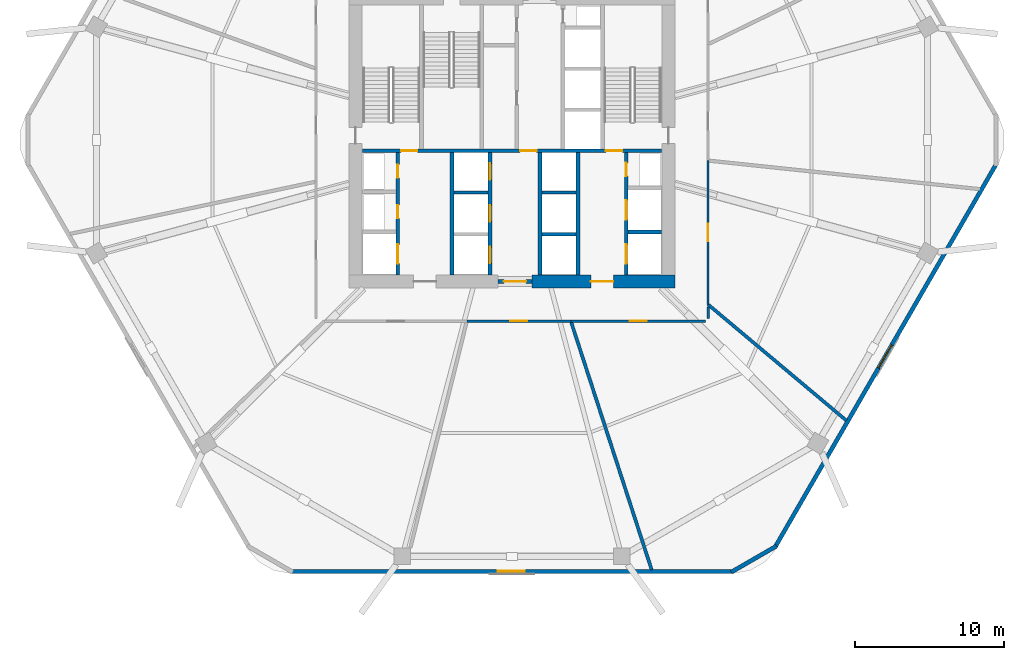
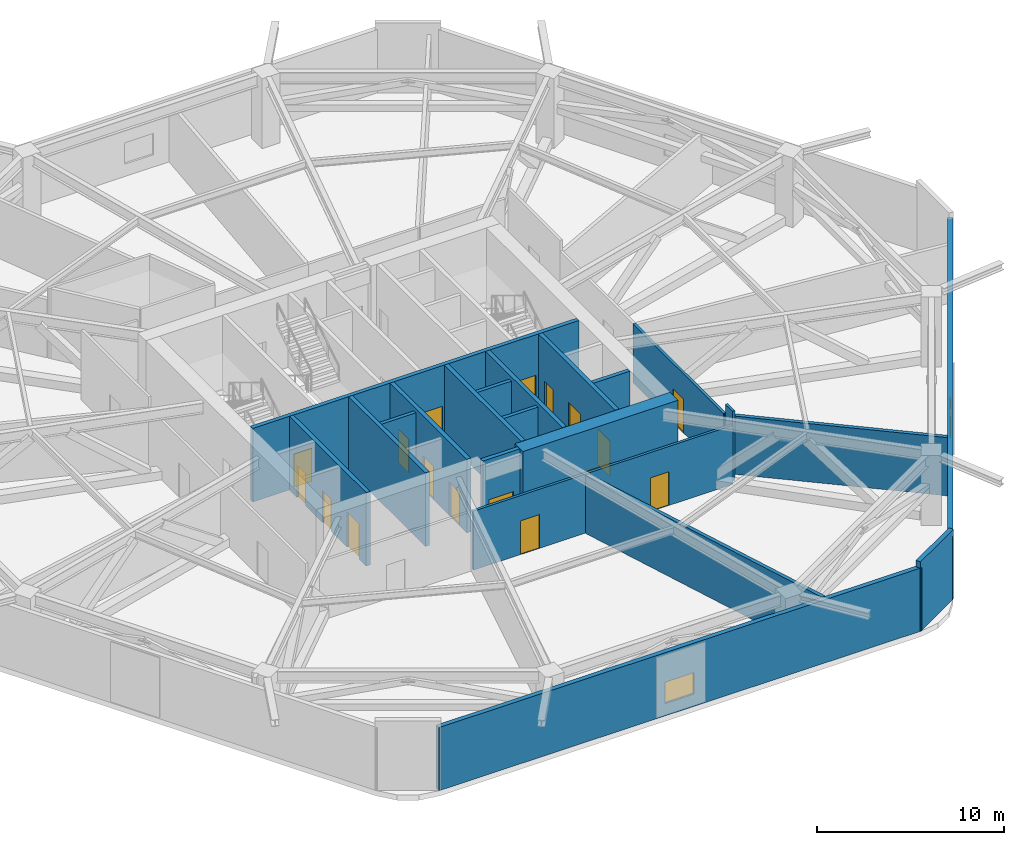
# One storey, part 4 of 10: 22 walls, 17 doors, 2 windows, 19 openings.
"""IFC4 building model written with IfcOpenShell, lengths in metres."""

from ifc_helpers import new_model, si_unit, direction, frame, frame_2d, origin, place, context, subcontext, project, spatial, rectangle, extrude, material, layer, layer_set, type_object, element, fill, save


model = new_model("IFC4")

# Units and contexts
model_context = context("Model", 3, precision=1e-05, world=origin(), true_north=direction((0.0, 1.0)))
body_context = subcontext(model_context, "Body", "Model", "MODEL_VIEW")
ifc_project = project(units=[si_unit("LENGTHUNIT", "METRE"), si_unit("AREAUNIT", "SQUARE_METRE"), si_unit("VOLUMEUNIT", "CUBIC_METRE"), si_unit("PLANEANGLEUNIT", "RADIAN"), si_unit("MASSUNIT", "GRAM", prefix="KILO")], contexts=[model_context])

# Site, building, storey
site_placement = place(None, origin())
site = spatial("IfcSite", under=ifc_project, at=site_placement, CompositionType="ELEMENT")
building_placement = place(site_placement, origin())
building = spatial("IfcBuilding", under=site, at=building_placement, Name="Zuhravey Tower", CompositionType="ELEMENT")
storey_placement = place(building_placement, frame((0.0, 0.0, 87.60009765625)))
storey = spatial("IfcBuildingStorey", under=building, at=storey_placement, Name="L21", CompositionType="ELEMENT", Elevation=87.60009765625)

# Wall, opening, door
ifc_material_1 = material(Name="Concrete C60/75", Category="concrete")
ifc_layer_1 = layer(ifc_material_1, 0.85009765625)
ifc_layer_set_1 = layer_set([ifc_layer_1], Name="Concrete C60/75")
wall_type_1 = type_object("IfcWallType", Name="Core Shear Wall 850", PredefinedType="SHEAR", material=ifc_layer_set_1)
wall_1_placement = place(storey_placement, frame((37.35009765625, 22.5, 0.0), z_axis=(0.0, 0.0, 1.0), x_axis=(1.0, 0.0, 0.0)))
wall_1 = element("IfcWall", 1, at=wall_1_placement, inside=storey, type_object=wall_type_1, Name="L21 South-East Core Shear Wall CW85", PredefinedType="SHEAR", context=body_context, shape_type="SweptSolid", body=[
    extrude(rectangle(XDim=9.574951171875, YDim=0.85009765625, at=frame_2d((4.78759765625, 0.0))), origin(), (0.0, 0.0, 1.0), 4.7998046875),
])
opening_1_placement = place(wall_1_placement, frame((3.949951171875, 0.0, 0.0)))
opening_1 = element("IfcOpeningElement", 2, at=opening_1_placement, cuts=wall_1, Name="Opening FFD1", PredefinedType="OPENING", context=body_context, shape_type="SweptSolid", body=[
    extrude(rectangle(XDim=1.5, YDim=2.14990234375, at=frame_2d((0.75, 1.074951171875))), frame((0.0, 0.43701171875, 0.0), z_axis=(0.0, -1.0, 0.0), x_axis=(1.0, 0.0, 0.0)), (0.0, 0.0, 1.0), 0.8740234375),
])
ifc_material_2 = material(Name="Galvanised fire-rated steel leaf", Category="steel")
door_type_1 = type_object("IfcDoorType", Name="Firefighting Lobby Double Door 1500x2150", OperationType="DOUBLE_DOOR_SINGLE_SWING", PredefinedType="DOOR", material=ifc_material_2)
door_1_placement = place(opening_1_placement, origin())
door_1 = element("IfcDoor", 3, at=door_1_placement, inside=storey, type_object=door_type_1, Name="L21 Firefighting Lobby East Door", OperationType="DOUBLE_DOOR_SINGLE_SWING", OverallHeight=2.14990234375, OverallWidth=1.5, PredefinedType="DOOR", context=body_context, shape_type="SweptSolid", body=[
    extrude(rectangle(XDim=1.5, YDim=2.14990234375, at=frame_2d((0.75, 1.074951171875))), frame((0.0, 0.02490234375, 0.0), z_axis=(0.0, -1.0, 0.0), x_axis=(1.0, 0.0, 0.0)), (0.0, 0.0, 1.0), 0.050048828125),
])
fill(opening_1, door_1)

ifc_material_3 = material(Name="Gypsum fire-rated stud partition")
ifc_layer_2 = layer(ifc_material_3, 0.159912109375)
ifc_layer_set_2 = layer_set([ifc_layer_2], Name="Gypsum fire-rated stud partition")
wall_type_2 = type_object("IfcWallType", Name="Corridor Fire Partition 160", PredefinedType="PARTITIONING", material=ifc_layer_set_2)
wall_2_placement = place(storey_placement, frame((32.969482421875, 19.844970703125, 0.0), z_axis=(0.0, 0.0, 1.0), x_axis=(1.0, 0.0, 0.0)))
wall_2 = element("IfcWall", 4, at=wall_2_placement, inside=storey, type_object=wall_type_2, Name="L21 IW16 Partition 027", PredefinedType="PARTITIONING", context=body_context, shape_type="SweptSolid", body=[
    extrude(rectangle(XDim=6.97998046875, YDim=0.159912109375, at=frame_2d((3.489990234375, 0.0))), origin(), (0.0, 0.0, 1.0), 3.849853515625),
])
opening_2_placement = place(wall_2_placement, frame((2.9150390625, 0.0, 0.0)))
opening_2 = element("IfcOpeningElement", 5, at=opening_2_placement, cuts=wall_2, Name="Opening CLD1", PredefinedType="OPENING", context=body_context, shape_type="SweptSolid", body=[
    extrude(rectangle(XDim=1.14990234375, YDim=2.199951171875, at=frame_2d((0.574951171875, 1.10009765625))), frame((0.0, 0.092041015625, 0.0), z_axis=(0.0, -1.0, 0.0), x_axis=(1.0, 0.0, 0.0)), (0.0, 0.0, 1.0), 0.183837890625),
])
ifc_material_4 = material(Name="Acoustic timber leaf with vision lite", Category="wood")
door_type_2 = type_object("IfcDoorType", Name="Classroom Acoustic Door 1150x2200", OperationType="NOTDEFINED", PredefinedType="DOOR", material=ifc_material_4)
door_2_placement = place(opening_2_placement, frame((1.14990234375, 0.0, 0.0), z_axis=(0.0, 0.0, 1.0), x_axis=(-1.0, 0.0, 0.0)))
door_2 = element("IfcDoor", 6, at=door_2_placement, inside=storey, type_object=door_type_2, Name="L21 Door 027.1", OperationType="SINGLE_SWING_LEFT", OverallHeight=2.199951171875, OverallWidth=1.14990234375, PredefinedType="DOOR", context=body_context, shape_type="SweptSolid", body=[
    extrude(rectangle(XDim=1.14990234375, YDim=2.199951171875, at=frame_2d((0.574951171875, 1.10009765625))), frame((0.0, 0.02490234375, 0.0), z_axis=(0.0, -1.0, 0.0), x_axis=(1.0, 0.0, 0.0)), (0.0, 0.0, 1.0), 0.050048828125),
])
fill(opening_2, door_2)

wall_3_placement = place(storey_placement, frame((39.949462890625, 19.844970703125, 0.0), z_axis=(0.0, 0.0, 1.0), x_axis=(1.0, 0.0, 0.0)))
wall_3 = element("IfcWall", 7, at=wall_3_placement, inside=storey, type_object=wall_type_2, Name="L21 IW16 Partition 028", PredefinedType="PARTITIONING", context=body_context, shape_type="SweptSolid", body=[
    extrude(rectangle(XDim=9.025634765625, YDim=0.159912109375, at=frame_2d((4.5126953125, 0.0))), origin(), (0.0, 0.0, 1.0), 3.849853515625),
])
opening_3_placement = place(wall_3_placement, frame((3.937744140625, 0.0, 0.0)))
opening_3 = element("IfcOpeningElement", 8, at=opening_3_placement, cuts=wall_3, Name="Opening CLD1", PredefinedType="OPENING", context=body_context, shape_type="SweptSolid", body=[
    extrude(rectangle(XDim=1.14990234375, YDim=2.199951171875, at=frame_2d((0.574951171875, 1.10009765625))), frame((0.0, 0.092041015625, 0.0), z_axis=(0.0, -1.0, 0.0), x_axis=(1.0, 0.0, 0.0)), (0.0, 0.0, 1.0), 0.183837890625),
])
door_3_placement = place(opening_3_placement, frame((1.14990234375, 0.0, 0.0), z_axis=(0.0, 0.0, 1.0), x_axis=(-1.0, 0.0, 0.0)))
door_3 = element("IfcDoor", 9, at=door_3_placement, inside=storey, type_object=door_type_2, Name="L21 Door 028.1", OperationType="SINGLE_SWING_RIGHT", OverallHeight=2.199951171875, OverallWidth=1.14990234375, PredefinedType="DOOR", context=body_context, shape_type="SweptSolid", body=[
    extrude(rectangle(XDim=1.14990234375, YDim=2.199951171875, at=frame_2d((0.574951171875, 1.10009765625))), frame((0.0, 0.02490234375, 0.0), z_axis=(0.0, -1.0, 0.0), x_axis=(1.0, 0.0, 0.0)), (0.0, 0.0, 1.0), 0.050048828125),
])
fill(opening_3, door_3)

wall_4_placement = place(storey_placement, frame((49.155029296875, 20.961669921875, 0.0), z_axis=(0.0, 0.0, 1.0), x_axis=(0.0, 1.0, 0.0)))
wall_4 = element("IfcWall", 10, at=wall_4_placement, inside=storey, type_object=wall_type_2, Name="L21 IW16 Partition 029", PredefinedType="PARTITIONING", context=body_context, shape_type="SweptSolid", body=[
    extrude(rectangle(XDim=9.65576171875, YDim=0.159912109375, at=frame_2d((4.827880859375, 0.0))), origin(), (0.0, 0.0, 1.0), 3.849853515625),
])
opening_4_placement = place(wall_4_placement, frame((4.2529296875, 0.0, 0.0)))
opening_4 = element("IfcOpeningElement", 11, at=opening_4_placement, cuts=wall_4, Name="Opening CLD1", PredefinedType="OPENING", context=body_context, shape_type="SweptSolid", body=[
    extrude(rectangle(XDim=1.14990234375, YDim=2.199951171875, at=frame_2d((0.574951171875, 1.10009765625))), frame((0.0, 0.092041015625, 0.0), z_axis=(0.0, -1.0, 0.0), x_axis=(1.0, 0.0, 0.0)), (0.0, 0.0, 1.0), 0.183837890625),
])
door_4_placement = place(opening_4_placement, frame((1.14990234375, 0.0, 0.0), z_axis=(0.0, 0.0, 1.0), x_axis=(-1.0, 0.0, 0.0)))
door_4 = element("IfcDoor", 12, at=door_4_placement, inside=storey, type_object=door_type_2, Name="L21 Door 029.1", OperationType="SINGLE_SWING_LEFT", OverallHeight=2.199951171875, OverallWidth=1.14990234375, PredefinedType="DOOR", context=body_context, shape_type="SweptSolid", body=[
    extrude(rectangle(XDim=1.14990234375, YDim=2.199951171875, at=frame_2d((0.574951171875, 1.10009765625))), frame((0.0, 0.02490234375, 0.0), z_axis=(0.0, -1.0, 0.0), x_axis=(1.0, 0.0, 0.0)), (0.0, 0.0, 1.0), 0.050048828125),
])
fill(opening_4, door_4)

# Wall
wall_5_placement = place(storey_placement, frame((49.175048828125, 20.02490234375, 0.0), z_axis=(0.0, 0.0, 1.0), x_axis=(0.0, 1.0, 0.0)))
element("IfcWall", 13, at=wall_5_placement, inside=storey, type_object=wall_type_2, Name="L21 IW16 Partition 056", PredefinedType="PARTITIONING", context=body_context, shape_type="SweptSolid", body=[
    extrude(rectangle(XDim=0.765869140625, YDim=0.159912109375, at=frame_2d((0.3828125, 0.0))), origin(), (0.0, 0.0, 1.0), 4.5498046875),
])

# Wall, opening, window
ifc_material_5 = material(Name="Precast concrete C40/50", Category="concrete")
ifc_layer_3 = layer(ifc_material_5, 0.280029296875)
ifc_layer_set_3 = layer_set([ifc_layer_3], Name="Precast concrete C40/50")
wall_type_3 = type_object("IfcWallType", Name="Crown Architectural Wall 280", PredefinedType="SOLIDWALL", material=ifc_layer_set_3)
wall_6_placement = place(storey_placement, frame((68.52587890625, 30.419921875, 0.0), z_axis=(0.0, 0.0, 1.0), x_axis=(-0.499990147121, -0.866031092272, 0.0)))
wall_6 = element("IfcWall", 14, at=wall_6_placement, inside=storey, type_object=wall_type_3, Name="L21 Face 6 Plant Enclosure Wall EW28", PredefinedType="SOLIDWALL", context=body_context, shape_type="SweptSolid", body=[
    extrude(rectangle(XDim=29.7890625, YDim=0.280029296875, at=frame_2d((14.89453125, 0.0))), origin(), (0.0, 0.0, 1.0), 4.121826171875),
])
opening_5_placement = place(wall_6_placement, frame((14.049560546875, 0.0, 0.800048828125)))
opening_5 = element("IfcOpeningElement", 15, at=opening_5_placement, cuts=wall_6, Name="Opening WN2", PredefinedType="OPENING", context=body_context, shape_type="SweptSolid", body=[
    extrude(rectangle(XDim=1.800048828125, YDim=1.39990234375, at=frame_2d((0.89990234375, 0.699951171875))), frame((0.0, 0.152099609375, 0.0), z_axis=(0.0, -1.0, 0.0), x_axis=(1.0, 0.0, 0.0)), (0.0, 0.0, 1.0), 0.303955078125),
])
ifc_material_6 = material(Name="Anodised aluminium acoustic louvre frame", Category="aluminium")
window_type = type_object("IfcWindowType", Name="Crown Plant Louvre Window 1800x1400", PartitioningType="SINGLE_PANEL", PredefinedType="WINDOW", material=ifc_material_6)
window_1_placement = place(opening_5_placement, origin())
window_1 = element("IfcWindow", 16, at=window_1_placement, inside=storey, type_object=window_type, Name="L21 Face 6 Plant Louvre Window WN2", OverallHeight=1.39990234375, OverallWidth=1.800048828125, PartitioningType="SINGLE_PANEL", PredefinedType="WINDOW", context=body_context, shape_type="SweptSolid", body=[
    extrude(rectangle(XDim=1.800048828125, YDim=1.39990234375, at=frame_2d((0.89990234375, 0.699951171875))), frame((0.0, 0.030029296875, 0.0), z_axis=(0.0, -1.0, 0.0), x_axis=(1.0, 0.0, 0.0)), (0.0, 0.0, 1.0), 0.06005859375),
])
fill(opening_5, window_1)

# Wall
wall_7_placement = place(storey_placement, frame((53.76123046875, 4.75146484375, 0.0), z_axis=(0.0, 0.0, 1.0), x_axis=(-0.866007452331, -0.500031091541, 0.0)))
element("IfcWall", 17, at=wall_7_placement, inside=storey, type_object=wall_type_3, Name="L21 Rounded Corner Closure Wall EW28-02", PredefinedType="SOLIDWALL", context=body_context, shape_type="SweptSolid", body=[
    extrude(rectangle(XDim=3.514892578125, YDim=0.280029296875, at=frame_2d((1.75732421875, 0.0))), origin(), (0.0, 0.0, 1.0), 4.5498046875),
])

# Wall, opening, window
wall_8_placement = place(storey_placement, frame((50.89453125, 3.04150390625, 0.0), z_axis=(0.0, 0.0, 1.0), x_axis=(-1.0, 0.0, 0.0)))
wall_8 = element("IfcWall", 18, at=wall_8_placement, inside=storey, type_object=wall_type_3, Name="L21 Face 5 Plant Enclosure Wall EW28", PredefinedType="SOLIDWALL", context=body_context, shape_type="SweptSolid", body=[
    extrude(rectangle(XDim=29.7890625, YDim=0.280029296875, at=frame_2d((14.89453125, 0.0))), origin(), (0.0, 0.0, 1.0), 4.121826171875),
])
opening_6_placement = place(wall_8_placement, frame((14.049560546875, 0.0, 0.800048828125)))
opening_6 = element("IfcOpeningElement", 19, at=opening_6_placement, cuts=wall_8, Name="Opening WN2", PredefinedType="OPENING", context=body_context, shape_type="SweptSolid", body=[
    extrude(rectangle(XDim=1.800048828125, YDim=1.39990234375, at=frame_2d((0.89990234375, 0.699951171875))), frame((0.0, 0.152099609375, 0.0), z_axis=(0.0, -1.0, 0.0), x_axis=(1.0, 0.0, 0.0)), (0.0, 0.0, 1.0), 0.303955078125),
])
window_2_placement = place(opening_6_placement, origin())
window_2 = element("IfcWindow", 20, at=window_2_placement, inside=storey, type_object=window_type, Name="L21 Face 5 Plant Louvre Window WN2", OverallHeight=1.39990234375, OverallWidth=1.800048828125, PartitioningType="SINGLE_PANEL", PredefinedType="WINDOW", context=body_context, shape_type="SweptSolid", body=[
    extrude(rectangle(XDim=1.800048828125, YDim=1.39990234375, at=frame_2d((0.89990234375, 0.699951171875))), frame((0.0, 0.030029296875, 0.0), z_axis=(0.0, -1.0, 0.0), x_axis=(1.0, 0.0, 0.0)), (0.0, 0.0, 1.0), 0.06005859375),
])
fill(opening_6, window_2)

# Wall, opening, door
ifc_material_7 = material(Name="Concrete C50/60", Category="concrete")
ifc_layer_4 = layer(ifc_material_7, 0.25)
ifc_layer_set_4 = layer_set([ifc_layer_4], Name="Concrete C50/60")
wall_type_4 = type_object("IfcWallType", Name="Firefighting Shaft & Stair Wall 250", PredefinedType="SOLIDWALL", material=ifc_layer_set_4)
wall_9_placement = place(storey_placement, frame((35.06005859375, 22.5, 0.0), z_axis=(0.0, 0.0, 1.0), x_axis=(1.0, 0.0, 0.0)))
wall_9 = element("IfcWall", 21, at=wall_9_placement, inside=storey, type_object=wall_type_4, Name="L21 FW25 Shaft Wall 001", PredefinedType="SOLIDWALL", context=body_context, shape_type="SweptSolid", body=[
    extrude(rectangle(XDim=2.280029296875, YDim=0.25, at=frame_2d((1.14013671875, 0.0))), origin(), (0.0, 0.0, 1.0), 4.7998046875),
])
opening_7_placement = place(wall_9_placement, frame((0.389892578125, 0.0, 0.0)))
opening_7 = element("IfcOpeningElement", 22, at=opening_7_placement, cuts=wall_9, Name="Opening FFD1", PredefinedType="OPENING", context=body_context, shape_type="SweptSolid", body=[
    extrude(rectangle(XDim=1.5, YDim=2.14990234375, at=frame_2d((0.75, 1.074951171875))), frame((0.0, 0.136962890625, 0.0), z_axis=(0.0, -1.0, 0.0), x_axis=(1.0, 0.0, 0.0)), (0.0, 0.0, 1.0), 0.27392578125),
])
door_5_placement = place(opening_7_placement, frame((1.5, 0.0, 0.0), z_axis=(0.0, 0.0, 1.0), x_axis=(-1.0, 0.0, 0.0)))
door_5 = element("IfcDoor", 23, at=door_5_placement, inside=storey, type_object=door_type_1, Name="L21 South Lift Lobby Exit Door", OperationType="DOUBLE_DOOR_SINGLE_SWING", OverallHeight=2.14990234375, OverallWidth=1.5, PredefinedType="DOOR", context=body_context, shape_type="SweptSolid", body=[
    extrude(rectangle(XDim=1.5, YDim=2.14990234375, at=frame_2d((0.75, 1.074951171875))), frame((0.0, 0.02490234375, 0.0), z_axis=(0.0, -1.0, 0.0), x_axis=(1.0, 0.0, 0.0)), (0.0, 0.0, 1.0), 0.050048828125),
])
fill(opening_7, door_5)

# Wall, openings, doors
wall_10_placement = place(storey_placement, frame((25.949951171875, 31.27490234375, 0.0), z_axis=(0.0, 0.0, 1.0), x_axis=(1.0, 0.0, 0.0)))
wall_10 = element("IfcWall", 24, at=wall_10_placement, inside=storey, type_object=wall_type_4, Name="L21 FW25 Shaft Wall 003", PredefinedType="SOLIDWALL", context=body_context, shape_type="SweptSolid", body=[
    extrude(rectangle(XDim=20.10009765625, YDim=0.25, at=frame_2d((10.050048828125, 0.0))), origin(), (0.0, 0.0, 1.0), 4.7998046875),
])
opening_8_placement = place(wall_10_placement, frame((2.60009765625, 0.0, 0.0)))
opening_8 = element("IfcOpeningElement", 25, at=opening_8_placement, cuts=wall_10, Name="Opening STD1", PredefinedType="OPENING", context=body_context, shape_type="SweptSolid", body=[
    extrude(rectangle(XDim=1.10009765625, YDim=2.14990234375, at=frame_2d((0.550048828125, 1.074951171875))), frame((0.0, 0.136962890625, 0.0), z_axis=(0.0, -1.0, 0.0), x_axis=(1.0, 0.0, 0.0)), (0.0, 0.0, 1.0), 0.27392578125),
])
opening_9_placement = place(wall_10_placement, frame((10.60009765625, 0.0, 0.0)))
opening_9 = element("IfcOpeningElement", 26, at=opening_9_placement, cuts=wall_10, Name="Opening STD1", PredefinedType="OPENING", context=body_context, shape_type="SweptSolid", body=[
    extrude(rectangle(XDim=1.10009765625, YDim=2.14990234375, at=frame_2d((0.550048828125, 1.074951171875))), frame((0.0, 0.136962890625, 0.0), z_axis=(0.0, -1.0, 0.0), x_axis=(1.0, 0.0, 0.0)), (0.0, 0.0, 1.0), 0.27392578125),
])
opening_10_placement = place(wall_10_placement, frame((16.35009765625, 0.0, 0.0)))
opening_10 = element("IfcOpeningElement", 27, at=opening_10_placement, cuts=wall_10, Name="Opening STD1", PredefinedType="OPENING", context=body_context, shape_type="SweptSolid", body=[
    extrude(rectangle(XDim=1.10009765625, YDim=2.14990234375, at=frame_2d((0.550048828125, 1.074951171875))), frame((0.0, 0.136962890625, 0.0), z_axis=(0.0, -1.0, 0.0), x_axis=(1.0, 0.0, 0.0)), (0.0, 0.0, 1.0), 0.27392578125),
])
door_type_3 = type_object("IfcDoorType", Name="Protected Stair Fire Door 1100x2150", OperationType="NOTDEFINED", PredefinedType="USERDEFINED", material=ifc_material_2)
door_6_placement = place(opening_8_placement, origin())
door_6 = element("IfcDoor", 28, at=door_6_placement, inside=storey, type_object=door_type_3, Name="L21 FFL-W to ST1 Door", ObjectType="EXITDOOR", OperationType="SINGLE_SWING_RIGHT", OverallHeight=2.14990234375, OverallWidth=1.10009765625, PredefinedType="USERDEFINED", context=body_context, shape_type="SweptSolid", body=[
    extrude(rectangle(XDim=1.10009765625, YDim=2.14990234375, at=frame_2d((0.550048828125, 1.074951171875))), frame((0.0, 0.02490234375, 0.0), z_axis=(0.0, -1.0, 0.0), x_axis=(1.0, 0.0, 0.0)), (0.0, 0.0, 1.0), 0.050048828125),
])
fill(opening_8, door_6)
door_7_placement = place(opening_9_placement, origin())
door_7 = element("IfcDoor", 29, at=door_7_placement, inside=storey, type_object=door_type_3, Name="L21 Core Lobby Link Door", ObjectType="EXITDOOR", OperationType="SINGLE_SWING_LEFT", OverallHeight=2.14990234375, OverallWidth=1.10009765625, PredefinedType="USERDEFINED", context=body_context, shape_type="SweptSolid", body=[
    extrude(rectangle(XDim=1.10009765625, YDim=2.14990234375, at=frame_2d((0.550048828125, 1.074951171875))), frame((0.0, 0.02490234375, 0.0), z_axis=(0.0, -1.0, 0.0), x_axis=(1.0, 0.0, 0.0)), (0.0, 0.0, 1.0), 0.050048828125),
])
fill(opening_9, door_7)
door_8_placement = place(opening_10_placement, origin())
door_8 = element("IfcDoor", 30, at=door_8_placement, inside=storey, type_object=door_type_3, Name="L21 FFL-E to ST2 Door", ObjectType="EXITDOOR", OperationType="SINGLE_SWING_RIGHT", OverallHeight=2.14990234375, OverallWidth=1.10009765625, PredefinedType="USERDEFINED", context=body_context, shape_type="SweptSolid", body=[
    extrude(rectangle(XDim=1.10009765625, YDim=2.14990234375, at=frame_2d((0.550048828125, 1.074951171875))), frame((0.0, 0.02490234375, 0.0), z_axis=(0.0, -1.0, 0.0), x_axis=(1.0, 0.0, 0.0)), (0.0, 0.0, 1.0), 0.050048828125),
])
fill(opening_10, door_8)

wall_11_placement = place(storey_placement, frame((28.324951171875, 22.949951171875, 0.0), z_axis=(0.0, 0.0, 1.0), x_axis=(0.0, 1.0, 0.0)))
wall_11 = element("IfcWall", 31, at=wall_11_placement, inside=storey, type_object=wall_type_4, Name="L21 FW25 Shaft Wall 011", PredefinedType="SOLIDWALL", context=body_context, shape_type="SweptSolid", body=[
    extrude(rectangle(XDim=8.199951171875, YDim=0.25, at=frame_2d((4.10009765625, 0.0))), origin(), (0.0, 0.0, 1.0), 4.7998046875),
])
opening_11_placement = place(wall_11_placement, frame((0.75, 0.0, 0.0)))
opening_11 = element("IfcOpeningElement", 32, at=opening_11_placement, cuts=wall_11, Name="Opening LD2", PredefinedType="OPENING", context=body_context, shape_type="SweptSolid", body=[
    extrude(rectangle(XDim=1.300048828125, YDim=2.300048828125, at=frame_2d((0.64990234375, 1.14990234375))), frame((0.0, 0.136962890625, 0.0), z_axis=(0.0, -1.0, 0.0), x_axis=(1.0, 0.0, 0.0)), (0.0, 0.0, 1.0), 0.27392578125),
])
opening_12_placement = place(wall_11_placement, frame((3.780029296875, 0.0, 0.0)))
opening_12 = element("IfcOpeningElement", 33, at=opening_12_placement, cuts=wall_11, Name="Opening RSD1", PredefinedType="OPENING", context=body_context, shape_type="SweptSolid", body=[
    extrude(rectangle(XDim=0.89990234375, YDim=2.10009765625, at=frame_2d((0.449951171875, 1.050048828125))), frame((0.0, 0.136962890625, 0.0), z_axis=(0.0, -1.0, 0.0), x_axis=(1.0, 0.0, 0.0)), (0.0, 0.0, 1.0), 0.27392578125),
])
opening_13_placement = place(wall_11_placement, frame((6.5, 0.0, 0.0)))
opening_13 = element("IfcOpeningElement", 34, at=opening_13_placement, cuts=wall_11, Name="Opening RSD1", PredefinedType="OPENING", context=body_context, shape_type="SweptSolid", body=[
    extrude(rectangle(XDim=0.89990234375, YDim=2.10009765625, at=frame_2d((0.449951171875, 1.050048828125))), frame((0.0, 0.136962890625, 0.0), z_axis=(0.0, -1.0, 0.0), x_axis=(1.0, 0.0, 0.0)), (0.0, 0.0, 1.0), 0.27392578125),
])
ifc_material_8 = material(Name="Brushed stainless steel", Category="steel")
door_type_4 = type_object("IfcDoorType", Name="Freight & Stretcher Lift Sliding Door 1300x2300", OperationType="DOUBLE_DOOR_SLIDING", PredefinedType="DOOR", material=ifc_material_8)
door_9_placement = place(opening_11_placement, frame((1.300048828125, 0.0, 0.0), z_axis=(0.0, 0.0, 1.0), x_axis=(-1.0, 0.0, 0.0)))
door_9 = element("IfcDoor", 35, at=door_9_placement, inside=storey, type_object=door_type_4, Name="L21 Lift FF1 Landing Door", OperationType="DOUBLE_DOOR_SLIDING", OverallHeight=2.300048828125, OverallWidth=1.300048828125, PredefinedType="DOOR", context=body_context, shape_type="SweptSolid", body=[
    extrude(rectangle(XDim=1.300048828125, YDim=2.300048828125, at=frame_2d((0.64990234375, 1.14990234375))), frame((0.0, 0.02490234375, 0.0), z_axis=(0.0, -1.0, 0.0), x_axis=(1.0, 0.0, 0.0)), (0.0, 0.0, 1.0), 0.050048828125),
])
fill(opening_11, door_9)
ifc_material_9 = material(Name="Galvanised fire-rated steel access leaf", Category="steel")
door_type_5 = type_object("IfcDoorType", Name="Riser & Shaft Access Fire Door 900x2100", OperationType="NOTDEFINED", PredefinedType="DOOR", material=ifc_material_9)
door_10_placement = place(opening_12_placement, frame((0.89990234375, 0.0, 0.0), z_axis=(0.0, 0.0, 1.0), x_axis=(-1.0, 0.0, 0.0)))
door_10 = element("IfcDoor", 36, at=door_10_placement, inside=storey, type_object=door_type_5, Name="L21 Electrical Riser Door", OperationType="SINGLE_SWING_RIGHT", OverallHeight=2.10009765625, OverallWidth=0.89990234375, PredefinedType="DOOR", context=body_context, shape_type="SweptSolid", body=[
    extrude(rectangle(XDim=0.89990234375, YDim=2.10009765625, at=frame_2d((0.449951171875, 1.050048828125))), frame((0.0, 0.02490234375, 0.0), z_axis=(0.0, -1.0, 0.0), x_axis=(1.0, 0.0, 0.0)), (0.0, 0.0, 1.0), 0.050048828125),
])
fill(opening_12, door_10)
door_11_placement = place(opening_13_placement, frame((0.89990234375, 0.0, 0.0), z_axis=(0.0, 0.0, 1.0), x_axis=(-1.0, 0.0, 0.0)))
door_11 = element("IfcDoor", 37, at=door_11_placement, inside=storey, type_object=door_type_5, Name="L21 Smoke Shaft Access Door", OperationType="SINGLE_SWING_LEFT", OverallHeight=2.10009765625, OverallWidth=0.89990234375, PredefinedType="DOOR", context=body_context, shape_type="SweptSolid", body=[
    extrude(rectangle(XDim=0.89990234375, YDim=2.10009765625, at=frame_2d((0.449951171875, 1.050048828125))), frame((0.0, 0.02490234375, 0.0), z_axis=(0.0, -1.0, 0.0), x_axis=(1.0, 0.0, 0.0)), (0.0, 0.0, 1.0), 0.050048828125),
])
fill(opening_13, door_11)

# Wall
wall_12_placement = place(storey_placement, frame((31.97509765625, 22.949951171875, 0.0), z_axis=(0.0, 0.0, 1.0), x_axis=(0.0, 1.0, 0.0)))
element("IfcWall", 38, at=wall_12_placement, inside=storey, type_object=wall_type_4, Name="L21 FW25 Shaft Wall 012", PredefinedType="SOLIDWALL", context=body_context, shape_type="SweptSolid", body=[
    extrude(rectangle(XDim=8.199951171875, YDim=0.25, at=frame_2d((4.10009765625, 0.0))), origin(), (0.0, 0.0, 1.0), 4.7998046875),
])

# Wall, openings, doors
wall_13_placement = place(storey_placement, frame((34.52490234375, 22.949951171875, 0.0), z_axis=(0.0, 0.0, 1.0), x_axis=(0.0, 1.0, 0.0)))
wall_13 = element("IfcWall", 39, at=wall_13_placement, inside=storey, type_object=wall_type_4, Name="L21 FW25 Shaft Wall 013", PredefinedType="SOLIDWALL", context=body_context, shape_type="SweptSolid", body=[
    extrude(rectangle(XDim=8.199951171875, YDim=0.25, at=frame_2d((4.10009765625, 0.0))), origin(), (0.0, 0.0, 1.0), 4.7998046875),
])
opening_14_placement = place(wall_13_placement, frame((0.77490234375, 0.0, 0.0)))
opening_14 = element("IfcOpeningElement", 40, at=opening_14_placement, cuts=wall_13, Name="Opening LD1", PredefinedType="OPENING", context=body_context, shape_type="SweptSolid", body=[
    extrude(rectangle(XDim=1.10009765625, YDim=2.199951171875, at=frame_2d((0.550048828125, 1.10009765625))), frame((0.0, 0.136962890625, 0.0), z_axis=(0.0, -1.0, 0.0), x_axis=(1.0, 0.0, 0.0)), (0.0, 0.0, 1.0), 0.27392578125),
])
opening_15_placement = place(wall_13_placement, frame((3.574951171875, 0.0, 0.0)))
opening_15 = element("IfcOpeningElement", 41, at=opening_15_placement, cuts=wall_13, Name="Opening LD1", PredefinedType="OPENING", context=body_context, shape_type="SweptSolid", body=[
    extrude(rectangle(XDim=1.10009765625, YDim=2.199951171875, at=frame_2d((0.550048828125, 1.10009765625))), frame((0.0, 0.136962890625, 0.0), z_axis=(0.0, -1.0, 0.0), x_axis=(1.0, 0.0, 0.0)), (0.0, 0.0, 1.0), 0.27392578125),
])
opening_16_placement = place(wall_13_placement, frame((6.375, 0.0, 0.0)))
opening_16 = element("IfcOpeningElement", 42, at=opening_16_placement, cuts=wall_13, Name="Opening LD1", PredefinedType="OPENING", context=body_context, shape_type="SweptSolid", body=[
    extrude(rectangle(XDim=1.10009765625, YDim=2.199951171875, at=frame_2d((0.550048828125, 1.10009765625))), frame((0.0, 0.136962890625, 0.0), z_axis=(0.0, -1.0, 0.0), x_axis=(1.0, 0.0, 0.0)), (0.0, 0.0, 1.0), 0.27392578125),
])
door_type_6 = type_object("IfcDoorType", Name="Lift Landing Sliding Door 1100x2200", OperationType="DOUBLE_DOOR_SLIDING", PredefinedType="DOOR", material=ifc_material_8)
door_12_placement = place(opening_14_placement, frame((1.10009765625, 0.0, 0.0), z_axis=(0.0, 0.0, 1.0), x_axis=(-1.0, 0.0, 0.0)))
door_12 = element("IfcDoor", 43, at=door_12_placement, inside=storey, type_object=door_type_6, Name="L21 Lift PL1 Landing Door", OperationType="DOUBLE_DOOR_SLIDING", OverallHeight=2.199951171875, OverallWidth=1.10009765625, PredefinedType="DOOR", context=body_context, shape_type="SweptSolid", body=[
    extrude(rectangle(XDim=1.10009765625, YDim=2.199951171875, at=frame_2d((0.550048828125, 1.10009765625))), frame((0.0, 0.02490234375, 0.0), z_axis=(0.0, -1.0, 0.0), x_axis=(1.0, 0.0, 0.0)), (0.0, 0.0, 1.0), 0.050048828125),
])
fill(opening_14, door_12)
door_13_placement = place(opening_15_placement, frame((1.10009765625, 0.0, 0.0), z_axis=(0.0, 0.0, 1.0), x_axis=(-1.0, 0.0, 0.0)))
door_13 = element("IfcDoor", 44, at=door_13_placement, inside=storey, type_object=door_type_6, Name="L21 Lift PL2 Landing Door", OperationType="DOUBLE_DOOR_SLIDING", OverallHeight=2.199951171875, OverallWidth=1.10009765625, PredefinedType="DOOR", context=body_context, shape_type="SweptSolid", body=[
    extrude(rectangle(XDim=1.10009765625, YDim=2.199951171875, at=frame_2d((0.550048828125, 1.10009765625))), frame((0.0, 0.02490234375, 0.0), z_axis=(0.0, -1.0, 0.0), x_axis=(1.0, 0.0, 0.0)), (0.0, 0.0, 1.0), 0.050048828125),
])
fill(opening_15, door_13)
door_14_placement = place(opening_16_placement, frame((1.10009765625, 0.0, 0.0), z_axis=(0.0, 0.0, 1.0), x_axis=(-1.0, 0.0, 0.0)))
door_14 = element("IfcDoor", 45, at=door_14_placement, inside=storey, type_object=door_type_6, Name="L21 Lift PL3 Landing Door", OperationType="DOUBLE_DOOR_SLIDING", OverallHeight=2.199951171875, OverallWidth=1.10009765625, PredefinedType="DOOR", context=body_context, shape_type="SweptSolid", body=[
    extrude(rectangle(XDim=1.10009765625, YDim=2.199951171875, at=frame_2d((0.550048828125, 1.10009765625))), frame((0.0, 0.02490234375, 0.0), z_axis=(0.0, -1.0, 0.0), x_axis=(1.0, 0.0, 0.0)), (0.0, 0.0, 1.0), 0.050048828125),
])
fill(opening_16, door_14)

# Walls
for number, where, z_axis, x_axis, name in (
    (46, (37.875, 22.949951171875, 0.0), (0.0, 0.0, 1.0), (0.0, 1.0, 0.0), "L21 FW25 Shaft Wall 014"),
    (47, (40.425048828125, 22.949951171875, 0.0), (0.0, 0.0, 1.0), (0.0, 1.0, 0.0), "L21 FW25 Shaft Wall 015"),
):
    element("IfcWall", number, at=place(storey_placement, frame(where, z_axis=z_axis, x_axis=x_axis)), inside=storey, type_object=wall_type_4, Name=name, PredefinedType="SOLIDWALL", context=body_context, shape_type="SweptSolid", body=[
        extrude(rectangle(XDim=8.199951171875, YDim=0.25, at=frame_2d((4.10009765625, 0.0))), origin(), (0.0, 0.0, 1.0), 4.7998046875),
    ])
wall_14_placement = place(storey_placement, frame((43.800048828125, 25.824951171875, 0.0), z_axis=(0.0, 0.0, 1.0), x_axis=(1.0, 0.0, 0.0)))
element("IfcWall", 48, at=wall_14_placement, inside=storey, type_object=wall_type_4, Name="L21 FW25 Shaft Wall 016", PredefinedType="SOLIDWALL", context=body_context, shape_type="SweptSolid", body=[
    extrude(rectangle(XDim=2.25, YDim=0.25, at=frame_2d((1.125, 0.0))), origin(), (0.0, 0.0, 1.0), 4.7998046875),
])

# Wall, openings, doors
wall_15_placement = place(storey_placement, frame((43.675048828125, 22.949951171875, 0.0), z_axis=(0.0, 0.0, 1.0), x_axis=(0.0, 1.0, 0.0)))
wall_15 = element("IfcWall", 49, at=wall_15_placement, inside=storey, type_object=wall_type_4, Name="L21 FW25 Shaft Wall 018", PredefinedType="SOLIDWALL", context=body_context, shape_type="SweptSolid", body=[
    extrude(rectangle(XDim=8.199951171875, YDim=0.25, at=frame_2d((4.10009765625, 0.0))), origin(), (0.0, 0.0, 1.0), 4.7998046875),
])
opening_17_placement = place(wall_15_placement, frame((0.75, 0.0, 0.0)))
opening_17 = element("IfcOpeningElement", 50, at=opening_17_placement, cuts=wall_15, Name="Opening LD2", PredefinedType="OPENING", context=body_context, shape_type="SweptSolid", body=[
    extrude(rectangle(XDim=1.300048828125, YDim=2.300048828125, at=frame_2d((0.64990234375, 1.14990234375))), frame((0.0, 0.136962890625, 0.0), z_axis=(0.0, -1.0, 0.0), x_axis=(1.0, 0.0, 0.0)), (0.0, 0.0, 1.0), 0.27392578125),
])
opening_18_placement = place(wall_15_placement, frame((3.699951171875, 0.0, 0.0)))
opening_18 = element("IfcOpeningElement", 51, at=opening_18_placement, cuts=wall_15, Name="Opening LD2", PredefinedType="OPENING", context=body_context, shape_type="SweptSolid", body=[
    extrude(rectangle(XDim=1.300048828125, YDim=2.300048828125, at=frame_2d((0.64990234375, 1.14990234375))), frame((0.0, 0.136962890625, 0.0), z_axis=(0.0, -1.0, 0.0), x_axis=(1.0, 0.0, 0.0)), (0.0, 0.0, 1.0), 0.27392578125),
])
opening_19_placement = place(wall_15_placement, frame((6.6201171875, 0.0, 0.0)))
opening_19 = element("IfcOpeningElement", 52, at=opening_19_placement, cuts=wall_15, Name="Opening RSD1", PredefinedType="OPENING", context=body_context, shape_type="SweptSolid", body=[
    extrude(rectangle(XDim=0.89990234375, YDim=2.10009765625, at=frame_2d((0.449951171875, 1.050048828125))), frame((0.0, 0.136962890625, 0.0), z_axis=(0.0, -1.0, 0.0), x_axis=(1.0, 0.0, 0.0)), (0.0, 0.0, 1.0), 0.27392578125),
])
door_15_placement = place(opening_17_placement, origin())
door_15 = element("IfcDoor", 53, at=door_15_placement, inside=storey, type_object=door_type_4, Name="L21 Lift FF2 Landing Door", OperationType="DOUBLE_DOOR_SLIDING", OverallHeight=2.300048828125, OverallWidth=1.300048828125, PredefinedType="DOOR", context=body_context, shape_type="SweptSolid", body=[
    extrude(rectangle(XDim=1.300048828125, YDim=2.300048828125, at=frame_2d((0.64990234375, 1.14990234375))), frame((0.0, 0.02490234375, 0.0), z_axis=(0.0, -1.0, 0.0), x_axis=(1.0, 0.0, 0.0)), (0.0, 0.0, 1.0), 0.050048828125),
])
fill(opening_17, door_15)
door_16_placement = place(opening_18_placement, origin())
door_16 = element("IfcDoor", 54, at=door_16_placement, inside=storey, type_object=door_type_4, Name="L21 Lift SV1 Landing Door", OperationType="DOUBLE_DOOR_SLIDING", OverallHeight=2.300048828125, OverallWidth=1.300048828125, PredefinedType="DOOR", context=body_context, shape_type="SweptSolid", body=[
    extrude(rectangle(XDim=1.300048828125, YDim=2.300048828125, at=frame_2d((0.64990234375, 1.14990234375))), frame((0.0, 0.02490234375, 0.0), z_axis=(0.0, -1.0, 0.0), x_axis=(1.0, 0.0, 0.0)), (0.0, 0.0, 1.0), 0.050048828125),
])
fill(opening_18, door_16)
door_17_placement = place(opening_19_placement, origin())
door_17 = element("IfcDoor", 55, at=door_17_placement, inside=storey, type_object=door_type_5, Name="L21 Plumbing Riser Door", OperationType="SINGLE_SWING_RIGHT", OverallHeight=2.10009765625, OverallWidth=0.89990234375, PredefinedType="DOOR", context=body_context, shape_type="SweptSolid", body=[
    extrude(rectangle(XDim=0.89990234375, YDim=2.10009765625, at=frame_2d((0.449951171875, 1.050048828125))), frame((0.0, 0.02490234375, 0.0), z_axis=(0.0, -1.0, 0.0), x_axis=(1.0, 0.0, 0.0)), (0.0, 0.0, 1.0), 0.050048828125),
])
fill(opening_19, door_17)

# Walls
ifc_material_10 = material(Name="Gypsum acoustic stud assembly")
ifc_layer_5 = layer(ifc_material_10, 0.219970703125)
ifc_layer_set_5 = layer_set([ifc_layer_5], Name="Gypsum acoustic stud assembly")
wall_type_5 = type_object("IfcWallType", Name="School Acoustic Compartment Wall 220", PredefinedType="PARTITIONING", material=ifc_layer_set_5)
wall_16_placement = place(storey_placement, frame((32.10791015625, 28.47509765625, 0.0), z_axis=(0.0, 0.0, 1.0), x_axis=(1.0, 0.0, 0.0)))
element("IfcWall", 56, at=wall_16_placement, inside=storey, type_object=wall_type_5, Name="L21 IW22 Partition 037", PredefinedType="PARTITIONING", context=body_context, shape_type="SweptSolid", body=[
    extrude(rectangle(XDim=2.2841796875, YDim=0.219970703125, at=frame_2d((1.14208984375, 0.0))), origin(), (0.0, 0.0, 1.0), 4.5498046875),
])
for number, where, z_axis, x_axis, name in (
    (57, (38.008056640625, 25.675048828125, 0.0), (0.0, 0.0, 1.0), (1.0, 0.0, 0.0), "L21 IW22 Partition 038"),
    (58, (38.008056640625, 28.47509765625, 0.0), (0.0, 0.0, 1.0), (1.0, 0.0, 0.0), "L21 IW22 Partition 039"),
):
    element("IfcWall", number, at=place(storey_placement, frame(where, z_axis=z_axis, x_axis=x_axis)), inside=storey, type_object=wall_type_5, Name=name, PredefinedType="PARTITIONING", context=body_context, shape_type="SweptSolid", body=[
        extrude(rectangle(XDim=2.283935546875, YDim=0.219970703125, at=frame_2d((1.14208984375, 0.0))), origin(), (0.0, 0.0, 1.0), 4.5498046875),
    ])
wall_17_placement = place(storey_placement, frame((39.97802734375, 19.757080078125, 0.0), z_axis=(0.0, 0.0, 1.0), x_axis=(0.309020307293, -0.951055439857, 0.0)))
element("IfcWall", 59, at=wall_17_placement, inside=storey, type_object=wall_type_5, Name="L21 IW22 Partition 051", PredefinedType="PARTITIONING", context=body_context, shape_type="SweptSolid", body=[
    extrude(rectangle(XDim=17.4599609375, YDim=0.219970703125, at=frame_2d((8.72998046875, 0.0))), origin(), (0.0, 0.0, 1.0), 3.7998046875),
])
wall_18_placement = place(storey_placement, frame((49.155029296875, 20.961669921875, 0.0), z_axis=(0.0, 0.0, 1.0), x_axis=(0.766040844587, -0.642791898225, 0.0)))
element("IfcWall", 60, at=wall_18_placement, inside=storey, type_object=wall_type_5, Name="L21 IW22 Partition 052", PredefinedType="PARTITIONING", context=body_context, shape_type="SweptSolid", body=[
    extrude(rectangle(XDim=12.120849609375, YDim=0.219970703125, at=frame_2d((6.060546875, 0.0))), origin(), (0.0, 0.0, 1.0), 3.7998046875),
])

save(model, "model.ifc")
